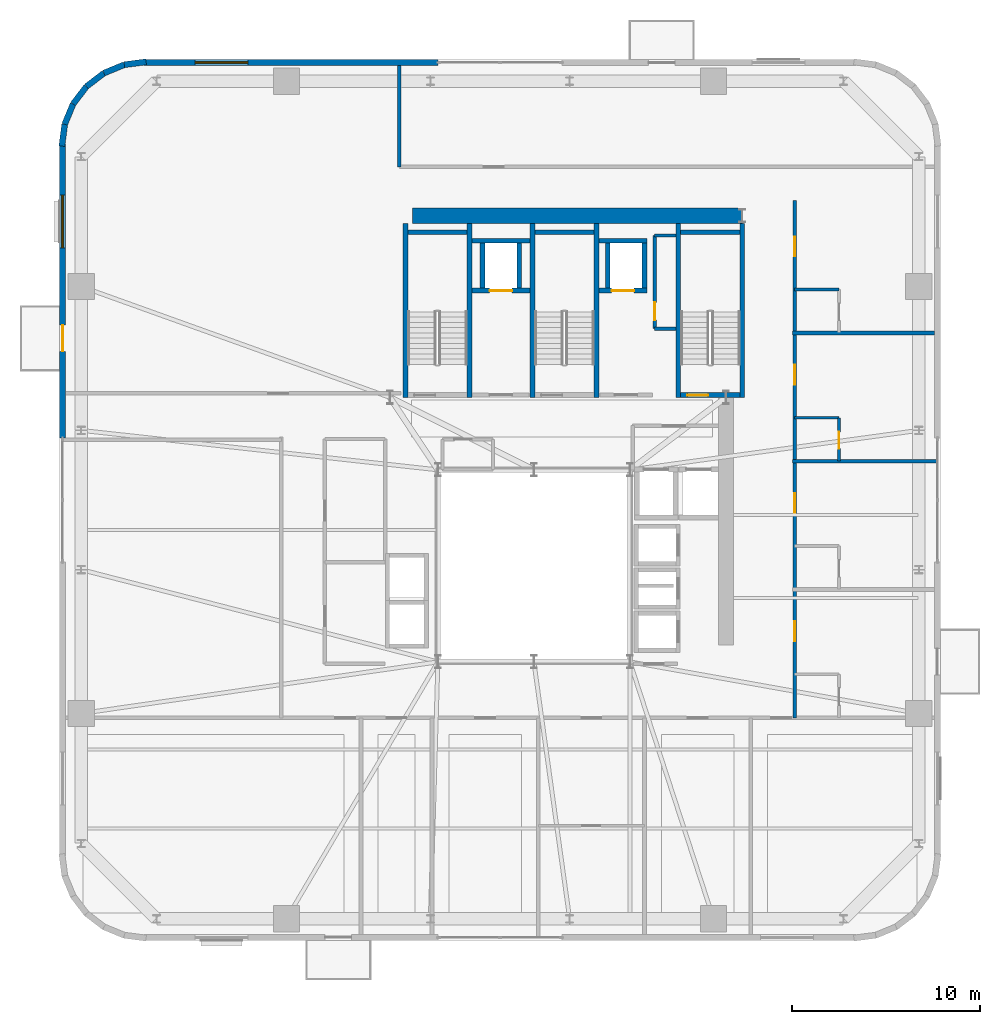
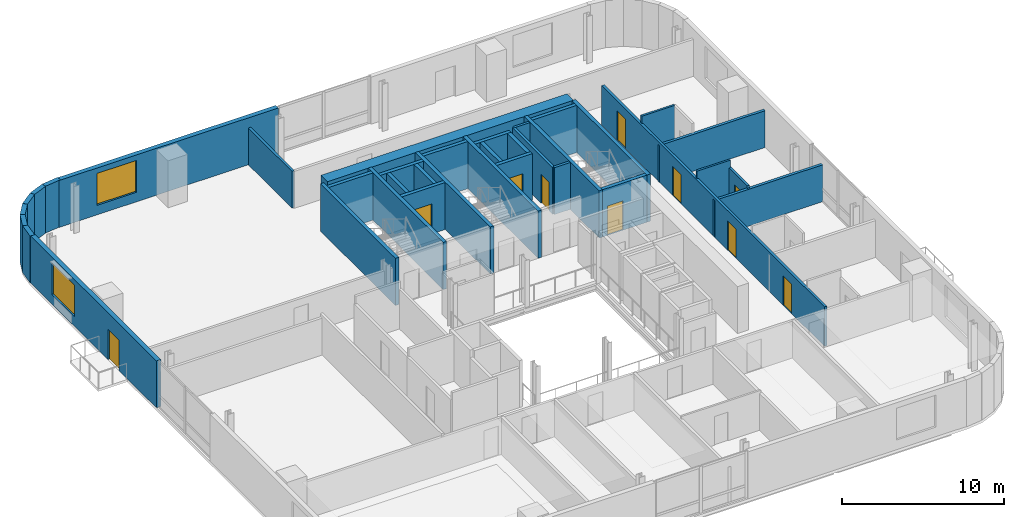
# One storey, part 10 of 16: 37 walls, 10 doors, 2 windows, 12 openings.
"""IFC4 building model written with IfcOpenShell, lengths in metres."""

from ifc_helpers import new_model, si_unit, direction, frame, frame_2d, origin, place, context, subcontext, project, spatial, rectangle, extrude, source, transform, mapped, material, layer, layer_set, type_object, element, fill, save


model = new_model("IFC4")

# Units and contexts
model_context = context("Model", 3, precision=1e-05, world=origin(), true_north=direction((0.0, 1.0)))
body_context = subcontext(model_context, "Body", "Model", "MODEL_VIEW")
ifc_project = project(units=[si_unit("LENGTHUNIT", "METRE"), si_unit("AREAUNIT", "SQUARE_METRE"), si_unit("VOLUMEUNIT", "CUBIC_METRE"), si_unit("PLANEANGLEUNIT", "RADIAN"), si_unit("MASSUNIT", "GRAM", prefix="KILO")], contexts=[model_context])

# Site, building, storey
site_placement = place(None, origin())
site = spatial("IfcSite", under=ifc_project, at=site_placement, CompositionType="ELEMENT")
building_placement = place(site_placement, origin())
building = spatial("IfcBuilding", under=site, at=building_placement, Name="Vardaveli Station Tower", CompositionType="ELEMENT")
storey_placement = place(building_placement, frame((0.0, 0.0, 226.050048828125)))
storey = spatial("IfcBuildingStorey", under=building, at=storey_placement, Name="L58", CompositionType="ELEMENT", Elevation=226.050048828125)

# Wall
ifc_material_1 = material(Name="Concrete C50/60", Category="concrete")
ifc_layer_1 = layer(ifc_material_1, 0.800048828125, Name="Concrete C50/60")
ifc_layer_set_1 = layer_set([ifc_layer_1], Name="Concrete C50/60")
wall_type_1 = type_object("IfcWallType", Name="WAL-CORE-800", PredefinedType="SHEAR", material=ifc_layer_set_1)
shared_shape_1 = source(origin(), body_context, "Body", "SweptSolid", [
    extrude(rectangle(XDim=17.52001953125, YDim=0.800048828125, at=frame_2d((8.760009765625, 0.0))), origin(), (0.0, 0.0, 1.0), 3.530029296875),
])
wall_1_placement = place(storey_placement, frame((29.85009765625, 40.300048828125, 0.0), z_axis=(0.0, 0.0, 1.0), x_axis=(1.0, 0.0, 0.0)))
element("IfcWall", 1, at=wall_1_placement, inside=storey, type_object=wall_type_1, Name="SW-L58-NORTH", PredefinedType="SHEAR", context=body_context, shape_type="MappedRepresentation", body=[
    mapped(shared_shape_1, transform((0.0, 0.0, 0.0), scale=1.0)),
])

# Wall, opening, window
ifc_material_2 = material(Name="Precast concrete C45/55", Category="concrete")
ifc_layer_2 = layer(ifc_material_2, 0.320068359375, Name="Precast concrete C45/55")
ifc_layer_set_2 = layer_set([ifc_layer_2], Name="Precast concrete C45/55")
wall_type_2 = type_object("IfcWallType", Name="WAL-EXT-STONE-320", PredefinedType="SOLIDWALL", material=ifc_layer_set_2)
shared_shape_2 = source(origin(), body_context, "Body", "SweptSolid", [
    extrude(rectangle(XDim=15.599853515625, YDim=0.320068359375, at=frame_2d((7.7998046875, 0.0))), origin(), (0.0, 0.0, 1.0), 3.530029296875),
])
wall_2_placement = place(storey_placement, frame((31.199951171875, 48.43994140625, 0.0), z_axis=(0.0, 0.0, 1.0), x_axis=(-1.0, 0.0, 0.0)))
wall_2 = element("IfcWall", 2, at=wall_2_placement, inside=storey, type_object=wall_type_2, Name="EW-L58-N2", PredefinedType="SOLIDWALL", context=body_context, shape_type="MappedRepresentation", body=[
    mapped(shared_shape_2, transform((0.0, 0.0, 0.0), scale=1.0)),
])
shared_shape_3 = source(origin(), body_context, "Body", "SweptSolid", [
    extrude(rectangle(XDim=2.800048828125, YDim=2.39990234375, at=frame_2d((1.39990234375, 1.199951171875))), frame((0.0, 0.169921875, 0.0), z_axis=(0.0, -1.0, 0.0), x_axis=(1.0, 0.0, 0.0)), (0.0, 0.0, 1.0), 0.340087890625),
])
opening_1_placement = place(wall_2_placement, frame((10.094970703125, 0.0, 0.719970703125)))
opening_1 = element("IfcOpeningElement", 3, at=opening_1_placement, cuts=wall_2, Name="Opening W-04", PredefinedType="OPENING", context=body_context, shape_type="MappedRepresentation", body=[
    mapped(shared_shape_3, transform((0.0, 0.0, 0.0), scale=1.0)),
])
ifc_material_3 = material(Name="Low-E solar-control glass", Category="glass")
window_type = type_object("IfcWindowType", Name="WIN-SUITE-2800x2400", PartitioningType="SINGLE_PANEL", PredefinedType="WINDOW", material=ifc_material_3)
shared_shape_4 = source(origin(), body_context, "Body", "SweptSolid", [
    extrude(rectangle(XDim=2.800048828125, YDim=2.39990234375, at=frame_2d((1.39990234375, 1.199951171875))), frame((0.0, 0.030029296875, 0.0), z_axis=(0.0, -1.0, 0.0), x_axis=(1.0, 0.0, 0.0)), (0.0, 0.0, 1.0), 0.06005859375),
])
window_1_placement = place(opening_1_placement, origin())
window_1 = element("IfcWindow", 4, at=window_1_placement, inside=storey, type_object=window_type, Name="WN-L58-N2", OverallHeight=2.39990234375, OverallWidth=2.800048828125, PartitioningType="SINGLE_PANEL", PredefinedType="WINDOW", context=body_context, shape_type="MappedRepresentation", body=[
    mapped(shared_shape_4, transform((0.0, 0.0, 0.0), scale=1.0)),
])
fill(opening_1, window_1)

# Wall, openings, door, window
shared_shape_5 = source(origin(), body_context, "Body", "SweptSolid", [
    extrude(rectangle(XDim=15.60009765625, YDim=0.320068359375, at=frame_2d((7.800048828125, 0.0))), origin(), (0.0, 0.0, 1.0), 3.530029296875),
])
wall_3_placement = place(storey_placement, frame((11.260009765625, 44.10009765625, 0.0), z_axis=(0.0, 0.0, 1.0), x_axis=(0.0, -1.0, 0.0)))
wall_3 = element("IfcWall", 5, at=wall_3_placement, inside=storey, type_object=wall_type_2, Name="EW-L58-W1", PredefinedType="SOLIDWALL", context=body_context, shape_type="MappedRepresentation", body=[
    mapped(shared_shape_5, transform((0.0, 0.0, 0.0), scale=1.0)),
])
shared_shape_6 = source(origin(), body_context, "Body", "SweptSolid", [
    extrude(rectangle(XDim=1.39990234375, YDim=2.300048828125, at=frame_2d((0.699951171875, 1.14990234375))), frame((0.0, 0.169921875, 0.0), z_axis=(0.0, -1.0, 0.0), x_axis=(1.0, 0.0, 0.0)), (0.0, 0.0, 1.0), 0.340087890625),
])
opening_2_placement = place(wall_3_placement, frame((9.6103515625, 0.0, 0.0)))
opening_2 = element("IfcOpeningElement", 6, at=opening_2_placement, cuts=wall_3, Name="Opening D-09", PredefinedType="OPENING", context=body_context, shape_type="MappedRepresentation", body=[
    mapped(shared_shape_6, transform((0.0, 0.0, 0.0), scale=1.0)),
])
opening_3_placement = place(wall_3_placement, frame((2.705078125, 0.0, 0.719970703125)))
opening_3 = element("IfcOpeningElement", 7, at=opening_3_placement, cuts=wall_3, Name="Opening W-04", PredefinedType="OPENING", context=body_context, shape_type="MappedRepresentation", body=[
    mapped(shared_shape_3, transform((0.0, 0.0, 0.0), scale=1.0)),
])
ifc_material_4 = material(Name="Thermally broken aluminium glass", Category="aluminium")
door_type_1 = type_object("IfcDoorType", Name="DR-LOG-1400x2300", OperationType="DOUBLE_DOOR_SLIDING", PredefinedType="DOOR", material=ifc_material_4)
shared_shape_7 = source(origin(), body_context, "Body", "SweptSolid", [
    extrude(rectangle(XDim=1.39990234375, YDim=2.300048828125, at=frame_2d((0.699951171875, 1.14990234375))), frame((0.0, 0.02490234375, 0.0), z_axis=(0.0, -1.0, 0.0), x_axis=(1.0, 0.0, 0.0)), (0.0, 0.0, 1.0), 0.050048828125),
])
door_1_placement = place(opening_2_placement, frame((1.39990234375, 0.0, 0.0), z_axis=(0.0, 0.0, 1.0), x_axis=(-1.0, 0.0, 0.0)))
door_1 = element("IfcDoor", 8, at=door_1_placement, inside=storey, type_object=door_type_1, Name="DLG-L58-W", OperationType="DOUBLE_DOOR_SLIDING", OverallHeight=2.300048828125, OverallWidth=1.39990234375, PredefinedType="DOOR", context=body_context, shape_type="MappedRepresentation", body=[
    mapped(shared_shape_7, transform((0.0, 0.0, 0.0), scale=1.0)),
])
fill(opening_2, door_1)
window_2_placement = place(opening_3_placement, origin())
window_2 = element("IfcWindow", 9, at=window_2_placement, inside=storey, type_object=window_type, Name="WN-L58-W1", OverallHeight=2.39990234375, OverallWidth=2.800048828125, PartitioningType="SINGLE_PANEL", PredefinedType="WINDOW", context=body_context, shape_type="MappedRepresentation", body=[
    mapped(shared_shape_4, transform((0.0, 0.0, 0.0), scale=1.0)),
])
fill(opening_3, window_2)

# Walls
shared_shape_8 = source(origin(), body_context, "Body", "SweptSolid", [
    extrude(rectangle(XDim=1.1689453125, YDim=0.320068359375, at=frame_2d((0.58447265625, 0.0))), origin(), (0.0, 0.0, 1.0), 3.530029296875),
])
wall_4_placement = place(storey_placement, frame((12.53125, 47.1689453125, 0.0), z_axis=(0.0, 0.0, 1.0), x_axis=(-0.608387696831, -0.793639975269, 0.0)))
element("IfcWall", 10, at=wall_4_placement, inside=storey, type_object=wall_type_2, Name="EW-L58-CR4-4", PredefinedType="SOLIDWALL", context=body_context, shape_type="MappedRepresentation", body=[
    mapped(shared_shape_8, transform((0.0, 0.0, 0.0), scale=1.0)),
])
shared_shape_9 = source(origin(), body_context, "Body", "SweptSolid", [
    extrude(rectangle(XDim=1.168701171875, YDim=0.320068359375, at=frame_2d((0.58447265625, 0.0))), origin(), (0.0, 0.0, 1.0), 3.530029296875),
])
wall_5_placement = place(storey_placement, frame((13.458740234375, 47.8798828125, 0.0), z_axis=(0.0, 0.0, 1.0), x_axis=(-0.793663520347, -0.608356981114, 0.0)))
element("IfcWall", 11, at=wall_5_placement, inside=storey, type_object=wall_type_2, Name="EW-L58-CR4-3", PredefinedType="SOLIDWALL", context=body_context, shape_type="MappedRepresentation", body=[
    mapped(shared_shape_9, transform((0.0, 0.0, 0.0), scale=1.0)),
])
shared_shape_10 = source(origin(), body_context, "Body", "SweptSolid", [
    extrude(rectangle(XDim=1.17041015625, YDim=0.320068359375, at=frame_2d((0.585205078125, 0.0))), origin(), (0.0, 0.0, 1.0), 3.530029296875),
])
for number, where, z_axis, x_axis, name in (
    (12, (15.700439453125, 48.4755859375, 0.0), (0.0, 0.0, 1.0), (-0.991735963317, -0.128295670475, 0.0), "EW-L58-CR4-1"),
    (13, (11.37451171875, 45.16015625, 0.0), (0.0, 0.0, 1.0), (-0.128295670475, -0.991735963317, 0.0), "EW-L58-CR4-6"),
):
    element("IfcWall", number, at=place(storey_placement, frame(where, z_axis=z_axis, x_axis=x_axis)), inside=storey, type_object=wall_type_2, Name=name, PredefinedType="SOLIDWALL", context=body_context, shape_type="MappedRepresentation", body=[
        mapped(shared_shape_10, transform((0.0, 0.0, 0.0), scale=1.0)),
    ])
shared_shape_11 = source(origin(), body_context, "Body", "SweptSolid", [
    extrude(rectangle(XDim=1.169189453125, YDim=0.320068359375, at=frame_2d((0.58447265625, 0.0))), origin(), (0.0, 0.0, 1.0), 3.530029296875),
])
for number, where, z_axis, x_axis, name in (
    (14, (14.539794921875, 48.325439453125, 0.0), (0.0, 0.0, 1.0), (-0.924552646638, -0.381054331552, 0.0), "EW-L58-CR4-2"),
    (15, (11.820068359375, 46.2412109375, 0.0), (0.0, 0.0, 1.0), (-0.381054331552, -0.924552646638, 0.0), "EW-L58-CR4-5"),
):
    element("IfcWall", number, at=place(storey_placement, frame(where, z_axis=z_axis, x_axis=x_axis)), inside=storey, type_object=wall_type_2, Name=name, PredefinedType="SOLIDWALL", context=body_context, shape_type="MappedRepresentation", body=[
        mapped(shared_shape_11, transform((0.0, 0.0, 0.0), scale=1.0)),
    ])
ifc_material_5 = material(Name="Concrete C40/50", Category="concrete")
ifc_layer_3 = layer(ifc_material_5, 0.25, Name="Concrete C40/50")
ifc_layer_set_3 = layer_set([ifc_layer_3], Name="Concrete C40/50")
wall_type_3 = type_object("IfcWallType", Name="WAL-SHAFT-250", PredefinedType="SOLIDWALL", material=ifc_layer_set_3)
shared_shape_12 = source(origin(), body_context, "Body", "SweptSolid", [
    extrude(rectangle(XDim=9.25, YDim=0.25, at=frame_2d((4.625, 0.0))), origin(), (0.0, 0.0, 1.0), 3.550048828125),
])
for number, where, z_axis, x_axis, name in (
    (16, (29.47509765625, 30.64990234375, 0.0), (0.0, 0.0, 1.0), (0.0, 1.0, 0.0), "W-L58-ST-1W"),
    (17, (32.875, 30.64990234375, 0.0), (0.0, 0.0, 1.0), (0.0, 1.0, 0.0), "W-L58-ST-1E"),
    (18, (36.22509765625, 30.64990234375, 0.0), (0.0, 0.0, 1.0), (0.0, 1.0, 0.0), "W-L58-ST-2W"),
    (19, (39.625, 30.64990234375, 0.0), (0.0, 0.0, 1.0), (0.0, 1.0, 0.0), "W-L58-ST-2E"),
    (20, (43.97509765625, 30.64990234375, 0.0), (0.0, 0.0, 1.0), (0.0, 1.0, 0.0), "W-L58-ST-3W"),
    (21, (47.375, 30.64990234375, 0.0), (0.0, 0.0, 1.0), (0.0, 1.0, 0.0), "W-L58-ST-3E"),
):
    element("IfcWall", number, at=place(storey_placement, frame(where, z_axis=z_axis, x_axis=x_axis)), inside=storey, type_object=wall_type_3, Name=name, PredefinedType="SOLIDWALL", context=body_context, shape_type="MappedRepresentation", body=[
        mapped(shared_shape_12, transform((0.0, 0.0, 0.0), scale=1.0)),
    ])
shared_shape_13 = source(origin(), body_context, "Body", "SweptSolid", [
    extrude(rectangle(XDim=3.14990234375, YDim=0.25, at=frame_2d((1.574951171875, 0.0))), origin(), (0.0, 0.0, 1.0), 3.550048828125),
])
for number, where, z_axis, x_axis, name in (
    (22, (29.60009765625, 39.425048828125, 0.0), (0.0, 0.0, 1.0), (1.0, 0.0, 0.0), "W-L58-ST-1N"),
    (23, (36.35009765625, 39.425048828125, 0.0), (0.0, 0.0, 1.0), (1.0, 0.0, 0.0), "W-L58-ST-2N"),
    (24, (44.10009765625, 39.425048828125, 0.0), (0.0, 0.0, 1.0), (1.0, 0.0, 0.0), "W-L58-ST-3N"),
):
    element("IfcWall", number, at=place(storey_placement, frame(where, z_axis=z_axis, x_axis=x_axis)), inside=storey, type_object=wall_type_3, Name=name, PredefinedType="SOLIDWALL", context=body_context, shape_type="MappedRepresentation", body=[
        mapped(shared_shape_13, transform((0.0, 0.0, 0.0), scale=1.0)),
    ])

# Wall, opening, door
wall_6_placement = place(storey_placement, frame((44.10009765625, 30.77490234375, 0.0), z_axis=(0.0, 0.0, 1.0), x_axis=(1.0, 0.0, 0.0)))
wall_6 = element("IfcWall", 25, at=wall_6_placement, inside=storey, type_object=wall_type_3, Name="W-L58-ST-3S", PredefinedType="SOLIDWALL", context=body_context, shape_type="MappedRepresentation", body=[
    mapped(shared_shape_13, transform((0.0, 0.0, 0.0), scale=1.0)),
])
shared_shape_14 = source(origin(), body_context, "Body", "SweptSolid", [
    extrude(rectangle(XDim=1.10009765625, YDim=2.199951171875, at=frame_2d((0.550048828125, 1.10009765625))), frame((0.0, 0.135009765625, 0.0), z_axis=(0.0, -1.0, 0.0), x_axis=(1.0, 0.0, 0.0)), (0.0, 0.0, 1.0), 0.27001953125),
])
opening_4_placement = place(wall_6_placement, frame((0.35009765625, 0.0, 0.0)))
opening_4 = element("IfcOpeningElement", 26, at=opening_4_placement, cuts=wall_6, Name="Opening D-04", PredefinedType="OPENING", context=body_context, shape_type="MappedRepresentation", body=[
    mapped(shared_shape_14, transform((0.0, 0.0, 0.0), scale=1.0)),
])
ifc_material_6 = material(Name="Steel smokeproof fire doorset", Category="steel")
door_type_2 = type_object("IfcDoorType", Name="DR-ST-1100x2200", OperationType="NOTDEFINED", PredefinedType="DOOR", material=ifc_material_6)
shared_shape_15 = source(origin(), body_context, "Body", "SweptSolid", [
    extrude(rectangle(XDim=1.10009765625, YDim=2.199951171875, at=frame_2d((0.550048828125, 1.10009765625))), frame((0.0, 0.02490234375, 0.0), z_axis=(0.0, -1.0, 0.0), x_axis=(1.0, 0.0, 0.0)), (0.0, 0.0, 1.0), 0.050048828125),
])
door_2_placement = place(opening_4_placement, origin())
door_2 = element("IfcDoor", 27, at=door_2_placement, inside=storey, type_object=door_type_2, Name="DST-3-L58", OperationType="SINGLE_SWING_LEFT", OverallHeight=2.199951171875, OverallWidth=1.10009765625, PredefinedType="DOOR", context=body_context, shape_type="MappedRepresentation", body=[
    mapped(shared_shape_15, transform((0.0, 0.0, 0.0), scale=1.0)),
])
fill(opening_4, door_2)

shared_shape_16 = source(origin(), body_context, "Body", "SweptSolid", [
    extrude(rectangle(XDim=3.10009765625, YDim=0.25, at=frame_2d((1.550048828125, 0.0))), origin(), (0.0, 0.0, 1.0), 3.530029296875),
])
wall_7_placement = place(storey_placement, frame((33.0, 36.324951171875, 0.0), z_axis=(0.0, 0.0, 1.0), x_axis=(1.0, 0.0, 0.0)))
wall_7 = element("IfcWall", 28, at=wall_7_placement, inside=storey, type_object=wall_type_3, Name="SHW-FFL-01-L58-S", PredefinedType="SOLIDWALL", context=body_context, shape_type="MappedRepresentation", body=[
    mapped(shared_shape_16, transform((0.0, 0.0, 0.0), scale=1.0)),
])
shared_shape_17 = source(origin(), body_context, "Body", "SweptSolid", [
    extrude(rectangle(XDim=1.199951171875, YDim=2.25, at=frame_2d((0.60009765625, 1.125))), frame((0.0, 0.135009765625, 0.0), z_axis=(0.0, -1.0, 0.0), x_axis=(1.0, 0.0, 0.0)), (0.0, 0.0, 1.0), 0.27001953125),
])
opening_5_placement = place(wall_7_placement, frame((0.949951171875, 0.0, 0.0)))
opening_5 = element("IfcOpeningElement", 29, at=opening_5_placement, cuts=wall_7, Name="Opening LD-02", PredefinedType="OPENING", context=body_context, shape_type="MappedRepresentation", body=[
    mapped(shared_shape_17, transform((0.0, 0.0, 0.0), scale=1.0)),
])
ifc_material_7 = material(Name="Brushed stainless steel", Category="steel")
door_type_3 = type_object("IfcDoorType", Name="DR-LD-1200x2250", OperationType="DOUBLE_DOOR_SLIDING", PredefinedType="DOOR", material=ifc_material_7)
shared_shape_18 = source(origin(), body_context, "Body", "SweptSolid", [
    extrude(rectangle(XDim=1.199951171875, YDim=2.25, at=frame_2d((0.60009765625, 1.125))), frame((0.0, 0.02490234375, 0.0), z_axis=(0.0, -1.0, 0.0), x_axis=(1.0, 0.0, 0.0)), (0.0, 0.0, 1.0), 0.050048828125),
])
door_3_placement = place(opening_5_placement, origin())
door_3 = element("IfcDoor", 30, at=door_3_placement, inside=storey, type_object=door_type_3, Name="LD-FFL-01-L58", OperationType="DOUBLE_DOOR_SLIDING", OverallHeight=2.25, OverallWidth=1.199951171875, PredefinedType="DOOR", context=body_context, shape_type="MappedRepresentation", body=[
    mapped(shared_shape_18, transform((0.0, 0.0, 0.0), scale=1.0)),
])
fill(opening_5, door_3)

# Walls
wall_8_placement = place(storey_placement, frame((33.0, 38.97509765625, 0.0), z_axis=(0.0, 0.0, 1.0), x_axis=(1.0, 0.0, 0.0)))
element("IfcWall", 31, at=wall_8_placement, inside=storey, type_object=wall_type_3, Name="SHW-FFL-01-L58-N", PredefinedType="SOLIDWALL", context=body_context, shape_type="MappedRepresentation", body=[
    mapped(shared_shape_16, transform((0.0, 0.0, 0.0), scale=1.0)),
])
shared_shape_19 = source(origin(), body_context, "Body", "SweptSolid", [
    extrude(rectangle(XDim=2.400146484375, YDim=0.25, at=frame_2d((1.2001953125, 0.0))), origin(), (0.0, 0.0, 1.0), 3.530029296875),
])
for number, where, z_axis, x_axis, name in (
    (32, (33.574951171875, 36.449951171875, 0.0), (0.0, 0.0, 1.0), (0.0, 1.0, 0.0), "SHW-FFL-01-L58-W"),
    (33, (35.52490234375, 36.449951171875, 0.0), (0.0, 0.0, 1.0), (0.0, 1.0, 0.0), "SHW-FFL-01-L58-E"),
    (34, (40.22509765625, 36.449951171875, 0.0), (0.0, 0.0, 1.0), (0.0, 1.0, 0.0), "SHW-FFL-02-L58-W"),
    (35, (42.175048828125, 36.449951171875, 0.0), (0.0, 0.0, 1.0), (0.0, 1.0, 0.0), "SHW-FFL-02-L58-E"),
):
    element("IfcWall", number, at=place(storey_placement, frame(where, z_axis=z_axis, x_axis=x_axis)), inside=storey, type_object=wall_type_3, Name=name, PredefinedType="SOLIDWALL", context=body_context, shape_type="MappedRepresentation", body=[
        mapped(shared_shape_19, transform((0.0, 0.0, 0.0), scale=1.0)),
    ])

# Wall, opening, door
shared_shape_20 = source(origin(), body_context, "Body", "SweptSolid", [
    extrude(rectangle(XDim=2.550048828125, YDim=0.25, at=frame_2d((1.27490234375, 0.0))), origin(), (0.0, 0.0, 1.0), 3.530029296875),
])
wall_9_placement = place(storey_placement, frame((39.75, 36.324951171875, 0.0), z_axis=(0.0, 0.0, 1.0), x_axis=(1.0, 0.0, 0.0)))
wall_9 = element("IfcWall", 36, at=wall_9_placement, inside=storey, type_object=wall_type_3, Name="SHW-FFL-02-L58-S", PredefinedType="SOLIDWALL", context=body_context, shape_type="MappedRepresentation", body=[
    mapped(shared_shape_20, transform((0.0, 0.0, 0.0), scale=1.0)),
])
opening_6_placement = place(wall_9_placement, frame((0.675048828125, 0.0, 0.0)))
opening_6 = element("IfcOpeningElement", 37, at=opening_6_placement, cuts=wall_9, Name="Opening LD-02", PredefinedType="OPENING", context=body_context, shape_type="MappedRepresentation", body=[
    mapped(shared_shape_17, transform((0.0, 0.0, 0.0), scale=1.0)),
])
door_4_placement = place(opening_6_placement, origin())
door_4 = element("IfcDoor", 38, at=door_4_placement, inside=storey, type_object=door_type_3, Name="LD-FFL-02-L58", OperationType="DOUBLE_DOOR_SLIDING", OverallHeight=2.25, OverallWidth=1.199951171875, PredefinedType="DOOR", context=body_context, shape_type="MappedRepresentation", body=[
    mapped(shared_shape_18, transform((0.0, 0.0, 0.0), scale=1.0)),
])
fill(opening_6, door_4)

# Wall
wall_10_placement = place(storey_placement, frame((39.75, 38.97509765625, 0.0), z_axis=(0.0, 0.0, 1.0), x_axis=(1.0, 0.0, 0.0)))
element("IfcWall", 39, at=wall_10_placement, inside=storey, type_object=wall_type_3, Name="SHW-FFL-02-L58-N", PredefinedType="SOLIDWALL", context=body_context, shape_type="MappedRepresentation", body=[
    mapped(shared_shape_20, transform((0.0, 0.0, 0.0), scale=1.0)),
])

# Wall, opening, door
ifc_material_8 = material(Name="Moisture-resistant stud partition")
ifc_layer_4 = layer(ifc_material_8, 0.14990234375, Name="Moisture-resistant stud partition")
ifc_layer_set_4 = layer_set([ifc_layer_4], Name="Moisture-resistant stud partition")
wall_type_4 = type_object("IfcWallType", Name="WAL-WET-150", PredefinedType="PARTITIONING", material=ifc_layer_set_4)
shared_shape_21 = source(origin(), body_context, "Body", "SweptSolid", [
    extrude(rectangle(XDim=2.2900390625, YDim=0.14990234375, at=frame_2d((1.14501953125, 0.0))), origin(), (0.0, 0.0, 1.0), 2.971923828125),
])
wall_11_placement = place(storey_placement, frame((52.510009765625, 27.27490234375, 0.0), z_axis=(0.0, 0.0, 1.0), x_axis=(0.0, 1.0, 0.0)))
wall_11 = element("IfcWall", 40, at=wall_11_placement, inside=storey, type_object=wall_type_4, Name="W-L58-BE3-E", PredefinedType="PARTITIONING", context=body_context, shape_type="MappedRepresentation", body=[
    mapped(shared_shape_21, transform((0.0, 0.0, 0.0), scale=1.0)),
])
shared_shape_22 = source(origin(), body_context, "Body", "SweptSolid", [
    extrude(rectangle(XDim=0.89990234375, YDim=2.10009765625, at=frame_2d((0.449951171875, 1.050048828125))), frame((0.0, 0.0849609375, 0.0), z_axis=(0.0, -1.0, 0.0), x_axis=(1.0, 0.0, 0.0)), (0.0, 0.0, 1.0), 0.169921875),
])
opening_7_placement = place(wall_11_placement, frame((0.64990234375, 0.0, 0.0)))
opening_7 = element("IfcOpeningElement", 41, at=opening_7_placement, cuts=wall_11, Name="Opening D-08", PredefinedType="OPENING", context=body_context, shape_type="MappedRepresentation", body=[
    mapped(shared_shape_22, transform((0.0, 0.0, 0.0), scale=1.0)),
])
ifc_material_9 = material(Name="Moisture-resistant oak door")
door_type_4 = type_object("IfcDoorType", Name="DR-BATH-900x2100", OperationType="NOTDEFINED", PredefinedType="DOOR", material=ifc_material_9)
shared_shape_23 = source(origin(), body_context, "Body", "SweptSolid", [
    extrude(rectangle(XDim=0.89990234375, YDim=2.10009765625, at=frame_2d((0.449951171875, 1.050048828125))), frame((0.0, 0.02490234375, 0.0), z_axis=(0.0, -1.0, 0.0), x_axis=(1.0, 0.0, 0.0)), (0.0, 0.0, 1.0), 0.050048828125),
])
door_5_placement = place(opening_7_placement, origin())
door_5 = element("IfcDoor", 42, at=door_5_placement, inside=storey, type_object=door_type_4, Name="D-L58-BE3", OperationType="SINGLE_SWING_RIGHT", OverallHeight=2.10009765625, OverallWidth=0.89990234375, PredefinedType="DOOR", context=body_context, shape_type="MappedRepresentation", body=[
    mapped(shared_shape_23, transform((0.0, 0.0, 0.0), scale=1.0)),
])
fill(opening_7, door_5)

# Walls
ifc_material_10 = material(Name="Acoustic twin-stud gypsum partition")
ifc_layer_5 = layer(ifc_material_10, 0.199951171875, Name="Acoustic twin-stud gypsum partition")
ifc_layer_set_5 = layer_set([ifc_layer_5], Name="Acoustic twin-stud gypsum partition")
wall_type_5 = type_object("IfcWallType", Name="WAL-PARTY-200", PredefinedType="PARTITIONING", material=ifc_layer_set_5)
shared_shape_24 = source(origin(), body_context, "Body", "SweptSolid", [
    extrude(rectangle(XDim=7.52783203125, YDim=0.199951171875, at=frame_2d((3.763916015625, 0.0))), origin(), (0.0, 0.0, 1.0), 2.77197265625),
])
wall_12_placement = place(storey_placement, frame((50.050048828125, 34.068115234375, 0.0), z_axis=(0.0, 0.0, 1.0), x_axis=(1.0, 0.0, 0.0)))
element("IfcWall", 43, at=wall_12_placement, inside=storey, type_object=wall_type_5, Name="W-L58-PE3", PredefinedType="PARTITIONING", context=body_context, shape_type="MappedRepresentation", body=[
    mapped(shared_shape_24, transform((0.0, 0.0, 0.0), scale=1.0)),
])
shared_shape_25 = source(origin(), body_context, "Body", "SweptSolid", [
    extrude(rectangle(XDim=7.719970703125, YDim=0.199951171875, at=frame_2d((3.85986328125, 0.0))), origin(), (0.0, 0.0, 1.0), 2.77197265625),
])
wall_13_placement = place(storey_placement, frame((50.050048828125, 27.2548828125, 0.0), z_axis=(0.0, 0.0, 1.0), x_axis=(1.0, 0.0, 0.0)))
element("IfcWall", 44, at=wall_13_placement, inside=storey, type_object=wall_type_5, Name="W-L58-PE2", PredefinedType="PARTITIONING", context=body_context, shape_type="MappedRepresentation", body=[
    mapped(shared_shape_25, transform((0.0, 0.0, 0.0), scale=1.0)),
])
ifc_material_11 = material(Name="Fire-rated gypsum stud partition")
ifc_layer_6 = layer(ifc_material_11, 0.179931640625, Name="Fire-rated gypsum stud partition")
ifc_layer_set_6 = layer_set([ifc_layer_6], Name="Fire-rated gypsum stud partition")
wall_type_6 = type_object("IfcWallType", Name="WAL-CORR-180", PredefinedType="PARTITIONING", material=ifc_layer_set_6)
shared_shape_26 = source(origin(), body_context, "Body", "SweptSolid", [
    extrude(rectangle(XDim=5.378173828125, YDim=0.179931640625, at=frame_2d((2.68896484375, 0.0))), origin(), (0.0, 0.0, 1.0), 2.77197265625),
])
wall_14_placement = place(storey_placement, frame((29.14990234375, 42.89990234375, 0.0), z_axis=(0.0, 0.0, 1.0), x_axis=(0.0, 1.0, 0.0)))
element("IfcWall", 45, at=wall_14_placement, inside=storey, type_object=wall_type_6, Name="W-L58-NPW", PredefinedType="PARTITIONING", context=body_context, shape_type="MappedRepresentation", body=[
    mapped(shared_shape_26, transform((0.0, 0.0, 0.0), scale=1.0)),
])
shared_shape_27 = source(origin(), body_context, "Body", "SweptSolid", [
    extrude(rectangle(XDim=2.360107421875, YDim=0.14990234375, at=frame_2d((1.18017578125, 0.0))), origin(), (0.0, 0.0, 1.0), 3.530029296875),
])
for number, where, z_axis, x_axis, name in (
    (46, (50.14990234375, 29.56494140625, 0.0), (0.0, 0.0, 1.0), (1.0, 0.0, 0.0), "W-L58-BE3-N"),
    (47, (50.14990234375, 36.3779296875, 0.0), (0.0, 0.0, 1.0), (1.0, 0.0, 0.0), "W-L58-BE4-N"),
):
    element("IfcWall", number, at=place(storey_placement, frame(where, z_axis=z_axis, x_axis=x_axis)), inside=storey, type_object=wall_type_4, Name=name, PredefinedType="PARTITIONING", context=body_context, shape_type="MappedRepresentation", body=[
        mapped(shared_shape_27, transform((0.0, 0.0, 0.0), scale=1.0)),
    ])

# Wall, opening, door
shared_shape_28 = source(origin(), body_context, "Body", "SweptSolid", [
    extrude(rectangle(XDim=4.949951171875, YDim=0.179931640625, at=frame_2d((2.47509765625, 0.0))), origin(), (0.0, 0.0, 1.0), 3.530029296875),
])
wall_15_placement = place(storey_placement, frame((42.719970703125, 34.300048828125, 0.0), z_axis=(0.0, 0.0, 1.0), x_axis=(0.0, 1.0, 0.0)))
wall_15 = element("IfcWall", 48, at=wall_15_placement, inside=storey, type_object=wall_type_6, Name="W-L58-CBS1-W", PredefinedType="PARTITIONING", context=body_context, shape_type="MappedRepresentation", body=[
    mapped(shared_shape_28, transform((0.0, 0.0, 0.0), scale=1.0)),
])
shared_shape_29 = source(origin(), body_context, "Body", "SweptSolid", [
    extrude(rectangle(XDim=0.949951171875, YDim=2.14990234375, at=frame_2d((0.47509765625, 1.074951171875))), frame((0.0, 0.10009765625, 0.0), z_axis=(0.0, -1.0, 0.0), x_axis=(1.0, 0.0, 0.0)), (0.0, 0.0, 1.0), 0.199951171875),
])
opening_8_placement = place(wall_15_placement, frame((0.449951171875, 0.0, 0.0)))
opening_8 = element("IfcOpeningElement", 49, at=opening_8_placement, cuts=wall_15, Name="Opening D-06", PredefinedType="OPENING", context=body_context, shape_type="MappedRepresentation", body=[
    mapped(shared_shape_29, transform((0.0, 0.0, 0.0), scale=1.0)),
])
ifc_material_12 = material(Name="Oak veneer acoustic fire door")
door_type_5 = type_object("IfcDoorType", Name="DR-GUEST-950x2150", OperationType="NOTDEFINED", PredefinedType="DOOR", material=ifc_material_12)
shared_shape_30 = source(origin(), body_context, "Body", "SweptSolid", [
    extrude(rectangle(XDim=0.949951171875, YDim=2.14990234375, at=frame_2d((0.47509765625, 1.074951171875))), frame((0.0, 0.02490234375, 0.0), z_axis=(0.0, -1.0, 0.0), x_axis=(1.0, 0.0, 0.0)), (0.0, 0.0, 1.0), 0.050048828125),
])
door_6_placement = place(opening_8_placement, origin())
door_6 = element("IfcDoor", 50, at=door_6_placement, inside=storey, type_object=door_type_5, Name="D-L58-HKP", OperationType="SINGLE_SWING_RIGHT", OverallHeight=2.14990234375, OverallWidth=0.949951171875, PredefinedType="DOOR", context=body_context, shape_type="MappedRepresentation", body=[
    mapped(shared_shape_30, transform((0.0, 0.0, 0.0), scale=1.0)),
])
fill(opening_8, door_6)

# Walls
shared_shape_31 = source(origin(), body_context, "Body", "SweptSolid", [
    extrude(rectangle(XDim=1.1279296875, YDim=0.179931640625, at=frame_2d((0.56396484375, 0.0))), origin(), (0.0, 0.0, 1.0), 3.530029296875),
])
for number, where, z_axis, x_axis, name in (
    (51, (42.719970703125, 34.300048828125, 0.0), (0.0, 0.0, 1.0), (1.0, 0.0, 0.0), "W-L58-CBS1-S"),
    (52, (42.719970703125, 39.25, 0.0), (0.0, 0.0, 1.0), (1.0, 0.0, 0.0), "W-L58-CBS1-N"),
):
    element("IfcWall", number, at=place(storey_placement, frame(where, z_axis=z_axis, x_axis=x_axis)), inside=storey, type_object=wall_type_6, Name=name, PredefinedType="PARTITIONING", context=body_context, shape_type="MappedRepresentation", body=[
        mapped(shared_shape_31, transform((0.0, 0.0, 0.0), scale=1.0)),
    ])

# Wall, openings, doors
shared_shape_32 = source(origin(), body_context, "Body", "SweptSolid", [
    extrude(rectangle(XDim=27.47021484375, YDim=0.179931640625, at=frame_2d((13.735107421875, 0.0))), origin(), (0.0, 0.0, 1.0), 2.971923828125),
])
wall_16_placement = place(storey_placement, frame((50.14990234375, 13.6298828125, 0.0), z_axis=(0.0, 0.0, 1.0), x_axis=(0.0, 1.0, 0.0)))
wall_16 = element("IfcWall", 53, at=wall_16_placement, inside=storey, type_object=wall_type_6, Name="W-L58-CE", PredefinedType="PARTITIONING", context=body_context, shape_type="MappedRepresentation", body=[
    mapped(shared_shape_32, transform((0.0, 0.0, 0.0), scale=1.0)),
])
shared_shape_33 = source(origin(), body_context, "Body", "SweptSolid", [
    extrude(rectangle(XDim=1.050048828125, YDim=2.199951171875, at=frame_2d((0.52490234375, 1.10009765625))), frame((0.0, 0.10009765625, 0.0), z_axis=(0.0, -1.0, 0.0), x_axis=(1.0, 0.0, 0.0)), (0.0, 0.0, 1.0), 0.199951171875),
])
opening_9_placement = place(wall_16_placement, frame((4.0712890625, 0.0, 0.0)))
opening_9 = element("IfcOpeningElement", 54, at=opening_9_placement, cuts=wall_16, Name="Opening D-05", PredefinedType="OPENING", context=body_context, shape_type="MappedRepresentation", body=[
    mapped(shared_shape_33, transform((0.0, 0.0, 0.0), scale=1.0)),
])
opening_10_placement = place(wall_16_placement, frame((10.8837890625, 0.0, 0.0)))
opening_10 = element("IfcOpeningElement", 55, at=opening_10_placement, cuts=wall_16, Name="Opening D-05", PredefinedType="OPENING", context=body_context, shape_type="MappedRepresentation", body=[
    mapped(shared_shape_33, transform((0.0, 0.0, 0.0), scale=1.0)),
])
opening_11_placement = place(wall_16_placement, frame((17.6962890625, 0.0, 0.0)))
opening_11 = element("IfcOpeningElement", 56, at=opening_11_placement, cuts=wall_16, Name="Opening D-05", PredefinedType="OPENING", context=body_context, shape_type="MappedRepresentation", body=[
    mapped(shared_shape_33, transform((0.0, 0.0, 0.0), scale=1.0)),
])
opening_12_placement = place(wall_16_placement, frame((24.5087890625, 0.0, 0.0)))
opening_12 = element("IfcOpeningElement", 57, at=opening_12_placement, cuts=wall_16, Name="Opening D-05", PredefinedType="OPENING", context=body_context, shape_type="MappedRepresentation", body=[
    mapped(shared_shape_33, transform((0.0, 0.0, 0.0), scale=1.0)),
])
ifc_material_13 = material(Name="Walnut veneer acoustic fire door")
door_type_6 = type_object("IfcDoorType", Name="DR-SUITE-1050x2200", OperationType="NOTDEFINED", PredefinedType="DOOR", material=ifc_material_13)
shared_shape_34 = source(origin(), body_context, "Body", "SweptSolid", [
    extrude(rectangle(XDim=1.050048828125, YDim=2.199951171875, at=frame_2d((0.52490234375, 1.10009765625))), frame((0.0, 0.02490234375, 0.0), z_axis=(0.0, -1.0, 0.0), x_axis=(1.0, 0.0, 0.0)), (0.0, 0.0, 1.0), 0.050048828125),
])
door_7_placement = place(opening_9_placement, origin())
door_7 = element("IfcDoor", 58, at=door_7_placement, inside=storey, type_object=door_type_6, Name="D-L58-GE1", OperationType="SINGLE_SWING_RIGHT", OverallHeight=2.199951171875, OverallWidth=1.050048828125, PredefinedType="DOOR", context=body_context, shape_type="MappedRepresentation", body=[
    mapped(shared_shape_34, transform((0.0, 0.0, 0.0), scale=1.0)),
])
fill(opening_9, door_7)
door_8_placement = place(opening_10_placement, origin())
door_8 = element("IfcDoor", 59, at=door_8_placement, inside=storey, type_object=door_type_6, Name="D-L58-GE2", OperationType="SINGLE_SWING_LEFT", OverallHeight=2.199951171875, OverallWidth=1.050048828125, PredefinedType="DOOR", context=body_context, shape_type="MappedRepresentation", body=[
    mapped(shared_shape_34, transform((0.0, 0.0, 0.0), scale=1.0)),
])
fill(opening_10, door_8)
door_9_placement = place(opening_11_placement, origin())
door_9 = element("IfcDoor", 60, at=door_9_placement, inside=storey, type_object=door_type_6, Name="D-L58-GE3", OperationType="SINGLE_SWING_RIGHT", OverallHeight=2.199951171875, OverallWidth=1.050048828125, PredefinedType="DOOR", context=body_context, shape_type="MappedRepresentation", body=[
    mapped(shared_shape_34, transform((0.0, 0.0, 0.0), scale=1.0)),
])
fill(opening_11, door_9)
door_10_placement = place(opening_12_placement, origin())
door_10 = element("IfcDoor", 61, at=door_10_placement, inside=storey, type_object=door_type_6, Name="D-L58-GE4", OperationType="SINGLE_SWING_LEFT", OverallHeight=2.199951171875, OverallWidth=1.050048828125, PredefinedType="DOOR", context=body_context, shape_type="MappedRepresentation", body=[
    mapped(shared_shape_34, transform((0.0, 0.0, 0.0), scale=1.0)),
])
fill(opening_12, door_10)

save(model, "model.ifc")
